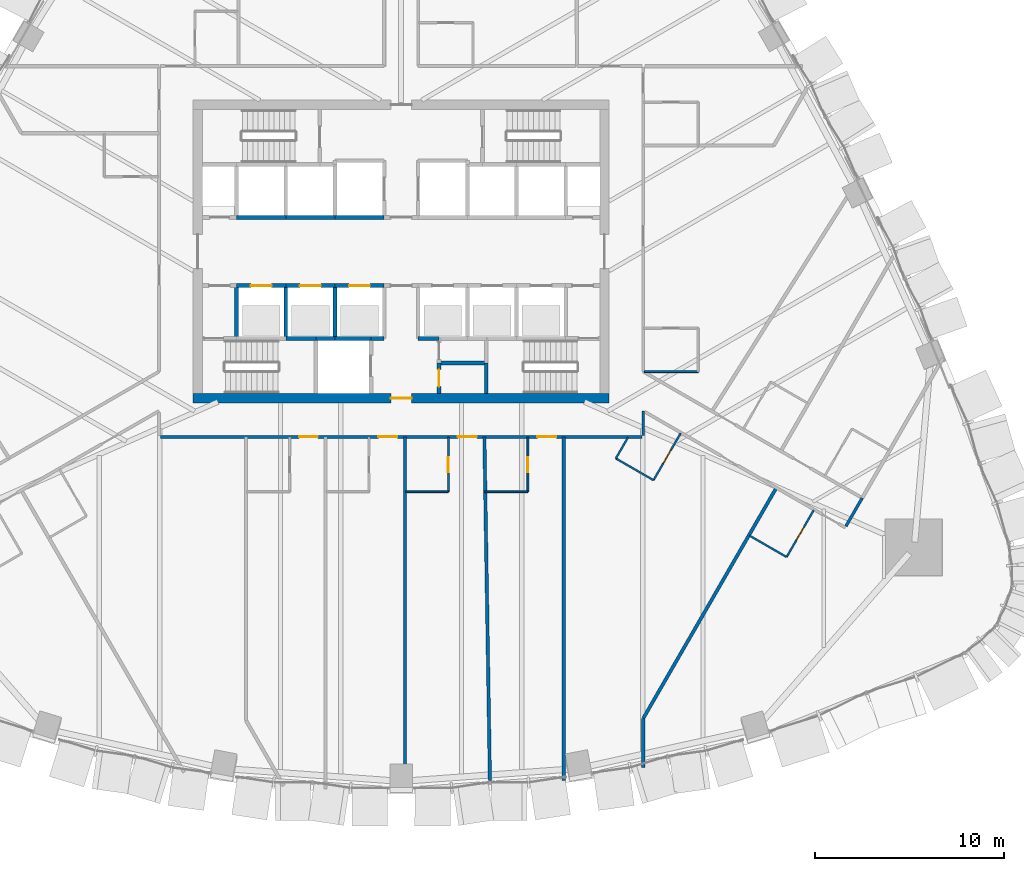
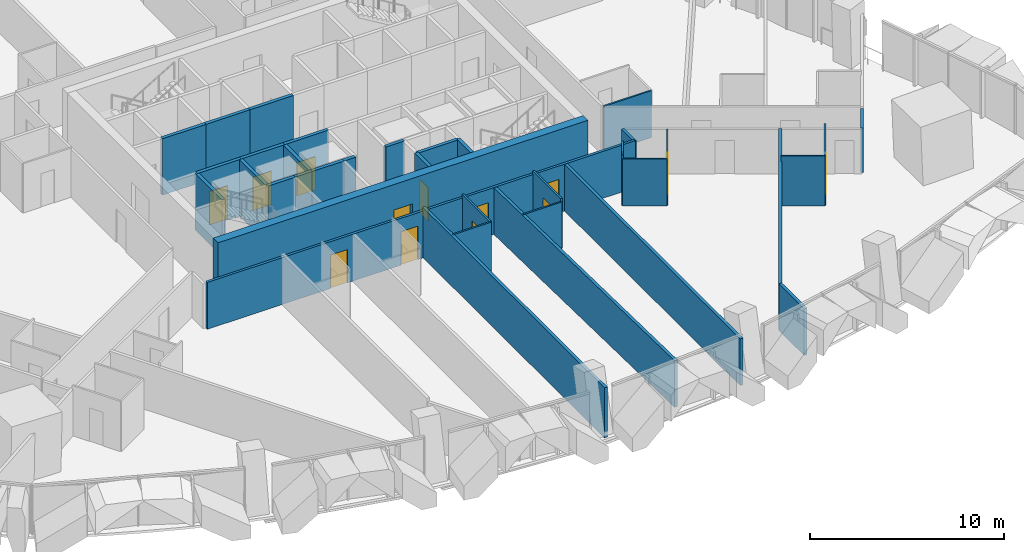
# One storey, part 15 of 23: 36 walls, 13 doors, 13 openings.
"""IFC4 building model written with IfcOpenShell, lengths in metres."""

from ifc_helpers import new_model, si_unit, direction, frame, frame_2d, origin, place, context, subcontext, project, spatial, rectangle, extrude, material, layer, layer_set, type_object, element, fill, save


model = new_model("IFC4")

# Units and contexts
model_context = context("Model", 3, precision=1e-05, world=origin(), true_north=direction((0.0, 1.0)))
body_context = subcontext(model_context, "Body", "Model", "MODEL_VIEW")
ifc_project = project(units=[si_unit("LENGTHUNIT", "METRE"), si_unit("AREAUNIT", "SQUARE_METRE"), si_unit("VOLUMEUNIT", "CUBIC_METRE"), si_unit("PLANEANGLEUNIT", "RADIAN"), si_unit("MASSUNIT", "GRAM", prefix="KILO")], contexts=[model_context])

# Site, building, storey
site_placement = place(None, origin())
site = spatial("IfcSite", under=ifc_project, at=site_placement, CompositionType="ELEMENT")
building_placement = place(site_placement, origin())
building = spatial("IfcBuilding", under=site, at=building_placement, Name="Sierra Prisma Convention Tower", CompositionType="ELEMENT")
storey_placement = place(building_placement, frame((0.0, 0.0, 51.699951171875)))
storey = spatial("IfcBuildingStorey", under=building, at=storey_placement, Name="L08", CompositionType="ELEMENT", Elevation=51.699951171875)

# Wall, opening, door
ifc_material_1 = material(Name="Gypsum board partition", Category="gypsum")
ifc_layer_1 = layer(ifc_material_1, 0.10009765625)
ifc_layer_set_1 = layer_set([ifc_layer_1], Name="Bathroom partition 100")
wall_type_1 = type_object("IfcWallType", Name="Bathroom partition 100", PredefinedType="PARTITIONING", material=ifc_layer_set_1)
wall_1_placement = place(storey_placement, frame((2.5, -9.830078125, 0.0), z_axis=(0.0, 0.0, 1.0), x_axis=(0.0, -1.0, 0.0)))
wall_1 = element("IfcWall", 1, at=wall_1_placement, inside=storey, type_object=wall_type_1, Name="Partition L08 bath 19", PredefinedType="PARTITIONING", context=body_context, shape_type="SweptSolid", body=[
    extrude(rectangle(XDim=2.869873046875, YDim=0.10009765625, at=frame_2d((1.43505859375, 0.0))), origin(), (0.0, 0.0, 1.0), 3.150146484375),
])
opening_1_placement = place(wall_1_placement, frame((1.034912109375, 0.0, 0.0)))
opening_1 = element("IfcOpeningElement", 2, at=opening_1_placement, cuts=wall_1, Name="Opening L08-D012", PredefinedType="OPENING", context=body_context, shape_type="SweptSolid", body=[
    extrude(rectangle(XDim=0.800048828125, YDim=2.10009765625, at=frame_2d((0.39990234375, 1.050048828125))), frame((0.0, 0.050048828125, 0.0), z_axis=(0.0, -1.0, 0.0), x_axis=(1.0, 0.0, 0.0)), (0.0, 0.0, 1.0), 0.10009765625),
])
ifc_material_2 = material(Name="Solid core timber door leaf", Category="wood")
door_type_1 = type_object("IfcDoorType", Name="Door 800x2100 plain", OperationType="SINGLE_SWING_LEFT", PredefinedType="DOOR", material=ifc_material_2)
door_1_placement = place(opening_1_placement, origin())
door_1 = element("IfcDoor", 3, at=door_1_placement, inside=storey, type_object=door_type_1, Name="Door L08 27", OperationType="SINGLE_SWING_RIGHT", OverallHeight=2.10009765625, OverallWidth=0.800048828125, PredefinedType="DOOR", context=body_context, shape_type="SweptSolid", body=[
    extrude(rectangle(XDim=0.800048828125, YDim=2.10009765625, at=frame_2d((0.39990234375, 1.050048828125))), frame((0.0, 0.02490234375, 0.0), z_axis=(0.0, -1.0, 0.0), x_axis=(1.0, 0.0, 0.0)), (0.0, 0.0, 1.0), 0.050048828125),
])
fill(opening_1, door_1)

# Wall
wall_2_placement = place(storey_placement, frame((2.5, -12.699951171875, 0.0), z_axis=(0.0, 0.0, 1.0), x_axis=(-1.0, 0.0, 0.0)))
element("IfcWall", 4, at=wall_2_placement, inside=storey, type_object=wall_type_1, Name="Partition L08 bath 20", PredefinedType="PARTITIONING", context=body_context, shape_type="SweptSolid", body=[
    extrude(rectangle(XDim=2.27001953125, YDim=0.10009765625, at=frame_2d((1.135009765625, 0.0))), origin(), (0.0, 0.0, 1.0), 3.150146484375),
])

# Wall, opening, door
wall_3_placement = place(storey_placement, frame((6.699951171875, -9.830078125, 0.0), z_axis=(0.0, 0.0, 1.0), x_axis=(0.0, -1.0, 0.0)))
wall_3 = element("IfcWall", 5, at=wall_3_placement, inside=storey, type_object=wall_type_1, Name="Partition L08 bath 23", PredefinedType="PARTITIONING", context=body_context, shape_type="SweptSolid", body=[
    extrude(rectangle(XDim=2.869873046875, YDim=0.10009765625, at=frame_2d((1.43505859375, 0.0))), origin(), (0.0, 0.0, 1.0), 3.150146484375),
])
opening_2_placement = place(wall_3_placement, frame((1.034912109375, 0.0, 0.0)))
opening_2 = element("IfcOpeningElement", 6, at=opening_2_placement, cuts=wall_3, Name="Opening L08-D013", PredefinedType="OPENING", context=body_context, shape_type="SweptSolid", body=[
    extrude(rectangle(XDim=0.800048828125, YDim=2.10009765625, at=frame_2d((0.39990234375, 1.050048828125))), frame((0.0, 0.050048828125, 0.0), z_axis=(0.0, -1.0, 0.0), x_axis=(1.0, 0.0, 0.0)), (0.0, 0.0, 1.0), 0.10009765625),
])
door_2_placement = place(opening_2_placement, origin())
door_2 = element("IfcDoor", 7, at=door_2_placement, inside=storey, type_object=door_type_1, Name="Door L08 29", OperationType="SINGLE_SWING_LEFT", OverallHeight=2.10009765625, OverallWidth=0.800048828125, PredefinedType="DOOR", context=body_context, shape_type="SweptSolid", body=[
    extrude(rectangle(XDim=0.800048828125, YDim=2.10009765625, at=frame_2d((0.39990234375, 1.050048828125))), frame((0.0, 0.02490234375, 0.0), z_axis=(0.0, -1.0, 0.0), x_axis=(1.0, 0.0, 0.0)), (0.0, 0.0, 1.0), 0.050048828125),
])
fill(opening_2, door_2)

# Wall
wall_4_placement = place(storey_placement, frame((6.699951171875, -12.699951171875, 0.0), z_axis=(0.0, 0.0, 1.0), x_axis=(-1.0, 0.0, 0.0)))
element("IfcWall", 8, at=wall_4_placement, inside=storey, type_object=wall_type_1, Name="Partition L08 bath 24", PredefinedType="PARTITIONING", context=body_context, shape_type="SweptSolid", body=[
    extrude(rectangle(XDim=2.27001953125, YDim=0.10009765625, at=frame_2d((1.135009765625, 0.0))), origin(), (0.0, 0.0, 1.0), 2.947021484375),
])

# Wall, opening, door
wall_5_placement = place(storey_placement, frame((14.77685546875, -9.605224609375, 0.0), z_axis=(0.0, 0.0, 1.0), x_axis=(-0.499999802827, -0.866025517622, 0.0)))
wall_5 = element("IfcWall", 9, at=wall_5_placement, inside=storey, type_object=wall_type_1, Name="Partition L08 bath 25", PredefinedType="PARTITIONING", context=body_context, shape_type="SweptSolid", body=[
    extrude(rectangle(XDim=2.8701171875, YDim=0.10009765625, at=frame_2d((1.43505859375, 0.0))), origin(), (0.0, 0.0, 1.0), 2.797119140625),
])
opening_3_placement = place(wall_5_placement, frame((1.034912109375, 0.0, 0.0)))
opening_3 = element("IfcOpeningElement", 10, at=opening_3_placement, cuts=wall_5, Name="Opening L08-D014", PredefinedType="OPENING", context=body_context, shape_type="SweptSolid", body=[
    extrude(rectangle(XDim=0.800048828125, YDim=2.10009765625, at=frame_2d((0.39990234375, 1.050048828125))), frame((0.0, 0.050048828125, 0.0), z_axis=(0.0, -1.0, 0.0), x_axis=(1.0, 0.0, 0.0)), (0.0, 0.0, 1.0), 0.10009765625),
])
door_3_placement = place(opening_3_placement, origin())
door_3 = element("IfcDoor", 11, at=door_3_placement, inside=storey, type_object=door_type_1, Name="Door L08 31", OperationType="SINGLE_SWING_RIGHT", OverallHeight=2.10009765625, OverallWidth=0.800048828125, PredefinedType="DOOR", context=body_context, shape_type="SweptSolid", body=[
    extrude(rectangle(XDim=0.800048828125, YDim=2.10009765625, at=frame_2d((0.39990234375, 1.050048828125))), frame((0.0, 0.02490234375, 0.0), z_axis=(0.0, -1.0, 0.0), x_axis=(1.0, 0.0, 0.0)), (0.0, 0.0, 1.0), 0.050048828125),
])
fill(opening_3, door_3)

# Walls
wall_6_placement = place(storey_placement, frame((13.341796875, -12.0908203125, 0.0), z_axis=(0.0, 0.0, 1.0), x_axis=(-0.86602648383, 0.499998129301, 0.0)))
element("IfcWall", 12, at=wall_6_placement, inside=storey, type_object=wall_type_1, Name="Partition L08 bath 26", PredefinedType="PARTITIONING", context=body_context, shape_type="SweptSolid", body=[
    extrude(rectangle(XDim=2.2998046875, YDim=0.10009765625, at=frame_2d((1.14990234375, 0.0))), origin(), (0.0, 0.0, 1.0), 2.947021484375),
])
wall_7_placement = place(storey_placement, frame((11.35009765625, -10.94091796875, 0.0), z_axis=(0.0, 0.0, 1.0), x_axis=(0.499865263774, 0.866103179807, 0.0)))
element("IfcWall", 13, at=wall_7_placement, inside=storey, type_object=wall_type_1, Name="Partition L08 bath 27", PredefinedType="PARTITIONING", context=body_context, shape_type="SweptSolid", body=[
    extrude(rectangle(XDim=1.282470703125, YDim=0.10009765625, at=frame_2d((0.64111328125, 0.0))), origin(), (0.0, 0.0, 1.0), 3.150146484375),
])
wall_8_placement = place(storey_placement, frame((15.699951171875, -6.350830078125, 0.0), z_axis=(0.0, 0.0, 1.0), x_axis=(-1.0, 0.0, 0.0)))
element("IfcWall", 14, at=wall_8_placement, inside=storey, type_object=wall_type_1, Name="Partition L08 bath 30", PredefinedType="PARTITIONING", context=body_context, shape_type="SweptSolid", body=[
    extrude(rectangle(XDim=2.83984375, YDim=0.10009765625, at=frame_2d((1.419921875, 0.0))), origin(), (0.0, 0.0, 1.0), 2.947021484375),
])

# Wall, opening, door
wall_9_placement = place(storey_placement, frame((21.813720703125, -13.668212890625, 0.0), z_axis=(0.0, 0.0, 1.0), x_axis=(-0.499972835562, -0.866041086612, 0.0)))
wall_9 = element("IfcWall", 15, at=wall_9_placement, inside=storey, type_object=wall_type_1, Name="Partition L08 bath 35", PredefinedType="PARTITIONING", context=body_context, shape_type="SweptSolid", body=[
    extrude(rectangle(XDim=2.869873046875, YDim=0.10009765625, at=frame_2d((1.43505859375, 0.0))), origin(), (0.0, 0.0, 1.0), 3.150146484375),
])
opening_4_placement = place(wall_9_placement, frame((1.034912109375, 0.0, 0.0)))
opening_4 = element("IfcOpeningElement", 16, at=opening_4_placement, cuts=wall_9, Name="Opening L08-D015", PredefinedType="OPENING", context=body_context, shape_type="SweptSolid", body=[
    extrude(rectangle(XDim=0.800048828125, YDim=2.10009765625, at=frame_2d((0.39990234375, 1.050048828125))), frame((0.0, 0.050048828125, 0.0), z_axis=(0.0, -1.0, 0.0), x_axis=(1.0, 0.0, 0.0)), (0.0, 0.0, 1.0), 0.10009765625),
])
door_4_placement = place(opening_4_placement, origin())
door_4 = element("IfcDoor", 17, at=door_4_placement, inside=storey, type_object=door_type_1, Name="Door L08 33", OperationType="SINGLE_SWING_LEFT", OverallHeight=2.10009765625, OverallWidth=0.800048828125, PredefinedType="DOOR", context=body_context, shape_type="SweptSolid", body=[
    extrude(rectangle(XDim=0.800048828125, YDim=2.10009765625, at=frame_2d((0.39990234375, 1.050048828125))), frame((0.0, 0.02490234375, 0.0), z_axis=(0.0, -1.0, 0.0), x_axis=(1.0, 0.0, 0.0)), (0.0, 0.0, 1.0), 0.050048828125),
])
fill(opening_4, door_4)

# Walls
wall_10_placement = place(storey_placement, frame((20.37890625, -16.153564453125, 0.0), z_axis=(0.0, 0.0, 1.0), x_axis=(-0.866044110172, 0.499967598186, 0.0)))
element("IfcWall", 18, at=wall_10_placement, inside=storey, type_object=wall_type_1, Name="Partition L08 bath 36", PredefinedType="PARTITIONING", context=body_context, shape_type="SweptSolid", body=[
    extrude(rectangle(XDim=2.270263671875, YDim=0.10009765625, at=frame_2d((1.13525390625, 0.0))), origin(), (0.0, 0.0, 1.0), 3.150146484375),
])
ifc_material_3 = material(Name="Concrete C30/37", Category="concrete")
ifc_layer_2 = layer(ifc_material_3, 0.199951171875)
ifc_layer_set_2 = layer_set([ifc_layer_2], Name="Core wall RC 200 C30/37")
wall_type_2 = type_object("IfcWallType", Name="Core wall RC 200 C30/37", PredefinedType="SOLIDWALL", material=ifc_layer_set_2)
wall_11_placement = place(storey_placement, frame((-8.699951171875, -4.60009765625, 0.0), z_axis=(0.0, 0.0, 1.0), x_axis=(0.0, 1.0, 0.0)))
element("IfcWall", 19, at=wall_11_placement, inside=storey, type_object=wall_type_2, Name="Core wall L08 6", PredefinedType="SOLIDWALL", context=body_context, shape_type="SweptSolid", body=[
    extrude(rectangle(XDim=2.800048828125, YDim=0.199951171875, at=frame_2d((1.39990234375, 0.0))), origin(), (0.0, 0.0, 1.0), 3.550048828125),
])

# Wall, opening, door
wall_12_placement = place(storey_placement, frame((-8.699951171875, -1.800048828125, 0.0), z_axis=(0.0, 0.0, 1.0), x_axis=(1.0, 0.0, 0.0)))
wall_12 = element("IfcWall", 20, at=wall_12_placement, inside=storey, type_object=wall_type_2, Name="Core wall L08 7", PredefinedType="SOLIDWALL", context=body_context, shape_type="SweptSolid", body=[
    extrude(rectangle(XDim=2.599853515625, YDim=0.199951171875, at=frame_2d((1.2998046875, 0.0))), origin(), (0.0, 0.0, 1.0), 3.550048828125),
])
opening_5_placement = place(wall_12_placement, frame((0.75, 0.0, 0.0)))
opening_5 = element("IfcOpeningElement", 21, at=opening_5_placement, cuts=wall_12, Name="Opening L08-D018", PredefinedType="OPENING", context=body_context, shape_type="SweptSolid", body=[
    extrude(rectangle(XDim=1.10009765625, YDim=2.10009765625, at=frame_2d((0.550048828125, 1.050048828125))), frame((0.0, 0.10009765625, 0.0), z_axis=(0.0, -1.0, 0.0), x_axis=(1.0, 0.0, 0.0)), (0.0, 0.0, 1.0), 0.199951171875),
])
ifc_material_4 = material(Name="Steel fire door leaf", Category="steel")
door_type_2 = type_object("IfcDoorType", Name="Door 1100x2100 EI 90 sliding lift landing", OperationType="SLIDING_TO_LEFT", PredefinedType="DOOR", material=ifc_material_4)
door_5_placement = place(opening_5_placement, origin())
door_5 = element("IfcDoor", 22, at=door_5_placement, inside=storey, type_object=door_type_2, Name="Door L08 38", OperationType="SLIDING_TO_RIGHT", OverallHeight=2.10009765625, OverallWidth=1.10009765625, PredefinedType="DOOR", context=body_context, shape_type="SweptSolid", body=[
    extrude(rectangle(XDim=1.10009765625, YDim=2.10009765625, at=frame_2d((0.550048828125, 1.050048828125))), frame((0.0, 0.02490234375, 0.0), z_axis=(0.0, -1.0, 0.0), x_axis=(1.0, 0.0, 0.0)), (0.0, 0.0, 1.0), 0.050048828125),
])
fill(opening_5, door_5)

# Walls
wall_13_placement = place(storey_placement, frame((-6.10009765625, 1.800048828125, 0.0), z_axis=(0.0, 0.0, 1.0), x_axis=(-1.0, 0.0, 0.0)))
element("IfcWall", 23, at=wall_13_placement, inside=storey, type_object=wall_type_2, Name="Core wall L08 8", PredefinedType="SOLIDWALL", context=body_context, shape_type="SweptSolid", body=[
    extrude(rectangle(XDim=2.599853515625, YDim=0.199951171875, at=frame_2d((1.2998046875, 0.0))), origin(), (0.0, 0.0, 1.0), 3.550048828125),
])
wall_14_placement = place(storey_placement, frame((-6.10009765625, -4.60009765625, 0.0), z_axis=(0.0, 0.0, 1.0), x_axis=(1.0, 0.0, 0.0)))
element("IfcWall", 24, at=wall_14_placement, inside=storey, type_object=wall_type_2, Name="Core wall L08 11", PredefinedType="SOLIDWALL", context=body_context, shape_type="SweptSolid", body=[
    extrude(rectangle(XDim=1.60009765625, YDim=0.199951171875, at=frame_2d((0.800048828125, 0.0))), origin(), (0.0, 0.0, 1.0), 3.550048828125),
])
wall_15_placement = place(storey_placement, frame((-6.10009765625, -4.60009765625, 0.0), z_axis=(0.0, 0.0, 1.0), x_axis=(0.0, 1.0, 0.0)))
element("IfcWall", 25, at=wall_15_placement, inside=storey, type_object=wall_type_2, Name="Core wall L08 12", PredefinedType="SOLIDWALL", context=body_context, shape_type="SweptSolid", body=[
    extrude(rectangle(XDim=2.800048828125, YDim=0.199951171875, at=frame_2d((1.39990234375, 0.0))), origin(), (0.0, 0.0, 1.0), 3.550048828125),
])

# Wall, opening, door
wall_16_placement = place(storey_placement, frame((-6.10009765625, -1.800048828125, 0.0), z_axis=(0.0, 0.0, 1.0), x_axis=(1.0, 0.0, 0.0)))
wall_16 = element("IfcWall", 26, at=wall_16_placement, inside=storey, type_object=wall_type_2, Name="Core wall L08 13", PredefinedType="SOLIDWALL", context=body_context, shape_type="SweptSolid", body=[
    extrude(rectangle(XDim=2.60009765625, YDim=0.199951171875, at=frame_2d((1.300048828125, 0.0))), origin(), (0.0, 0.0, 1.0), 3.550048828125),
])
opening_6_placement = place(wall_16_placement, frame((0.75, 0.0, 0.0)))
opening_6 = element("IfcOpeningElement", 27, at=opening_6_placement, cuts=wall_16, Name="Opening L08-D019", PredefinedType="OPENING", context=body_context, shape_type="SweptSolid", body=[
    extrude(rectangle(XDim=1.10009765625, YDim=2.10009765625, at=frame_2d((0.550048828125, 1.050048828125))), frame((0.0, 0.10009765625, 0.0), z_axis=(0.0, -1.0, 0.0), x_axis=(1.0, 0.0, 0.0)), (0.0, 0.0, 1.0), 0.199951171875),
])
door_6_placement = place(opening_6_placement, origin())
door_6 = element("IfcDoor", 28, at=door_6_placement, inside=storey, type_object=door_type_2, Name="Door L08 39", OperationType="SLIDING_TO_LEFT", OverallHeight=2.10009765625, OverallWidth=1.10009765625, PredefinedType="DOOR", context=body_context, shape_type="SweptSolid", body=[
    extrude(rectangle(XDim=1.10009765625, YDim=2.10009765625, at=frame_2d((0.550048828125, 1.050048828125))), frame((0.0, 0.02490234375, 0.0), z_axis=(0.0, -1.0, 0.0), x_axis=(1.0, 0.0, 0.0)), (0.0, 0.0, 1.0), 0.050048828125),
])
fill(opening_6, door_6)

# Walls
wall_17_placement = place(storey_placement, frame((-3.5, 1.800048828125, 0.0), z_axis=(0.0, 0.0, 1.0), x_axis=(-1.0, 0.0, 0.0)))
element("IfcWall", 29, at=wall_17_placement, inside=storey, type_object=wall_type_2, Name="Core wall L08 14", PredefinedType="SOLIDWALL", context=body_context, shape_type="SweptSolid", body=[
    extrude(rectangle(XDim=2.60009765625, YDim=0.199951171875, at=frame_2d((1.300048828125, 0.0))), origin(), (0.0, 0.0, 1.0), 3.550048828125),
])
wall_18_placement = place(storey_placement, frame((-4.5, -4.60009765625, 0.0), z_axis=(0.0, 0.0, 1.0), x_axis=(1.0, 0.0, 0.0)))
element("IfcWall", 30, at=wall_18_placement, inside=storey, type_object=wall_type_2, Name="Core wall L08 18", PredefinedType="SOLIDWALL", context=body_context, shape_type="SweptSolid", body=[
    extrude(rectangle(XDim=1.0, YDim=0.199951171875, at=frame_2d((0.5, 0.0))), origin(), (0.0, 0.0, 1.0), 3.550048828125),
])
wall_19_placement = place(storey_placement, frame((-3.5, -4.60009765625, 0.0), z_axis=(0.0, 0.0, 1.0), x_axis=(1.0, 0.0, 0.0)))
element("IfcWall", 31, at=wall_19_placement, inside=storey, type_object=wall_type_2, Name="Core wall L08 21", PredefinedType="SOLIDWALL", context=body_context, shape_type="SweptSolid", body=[
    extrude(rectangle(XDim=1.89990234375, YDim=0.199951171875, at=frame_2d((0.949951171875, 0.0))), origin(), (0.0, 0.0, 1.0), 3.550048828125),
])
wall_20_placement = place(storey_placement, frame((-3.5, -4.60009765625, 0.0), z_axis=(0.0, 0.0, 1.0), x_axis=(0.0, 1.0, 0.0)))
element("IfcWall", 32, at=wall_20_placement, inside=storey, type_object=wall_type_2, Name="Core wall L08 22", PredefinedType="SOLIDWALL", context=body_context, shape_type="SweptSolid", body=[
    extrude(rectangle(XDim=2.800048828125, YDim=0.199951171875, at=frame_2d((1.39990234375, 0.0))), origin(), (0.0, 0.0, 1.0), 3.550048828125),
])

# Wall, opening, door
wall_21_placement = place(storey_placement, frame((-3.5, -1.800048828125, 0.0), z_axis=(0.0, 0.0, 1.0), x_axis=(1.0, 0.0, 0.0)))
wall_21 = element("IfcWall", 33, at=wall_21_placement, inside=storey, type_object=wall_type_2, Name="Core wall L08 23", PredefinedType="SOLIDWALL", context=body_context, shape_type="SweptSolid", body=[
    extrude(rectangle(XDim=2.60009765625, YDim=0.199951171875, at=frame_2d((1.300048828125, 0.0))), origin(), (0.0, 0.0, 1.0), 3.550048828125),
])
opening_7_placement = place(wall_21_placement, frame((0.75, 0.0, 0.0)))
opening_7 = element("IfcOpeningElement", 34, at=opening_7_placement, cuts=wall_21, Name="Opening L08-D020", PredefinedType="OPENING", context=body_context, shape_type="SweptSolid", body=[
    extrude(rectangle(XDim=1.10009765625, YDim=2.10009765625, at=frame_2d((0.550048828125, 1.050048828125))), frame((0.0, 0.10009765625, 0.0), z_axis=(0.0, -1.0, 0.0), x_axis=(1.0, 0.0, 0.0)), (0.0, 0.0, 1.0), 0.199951171875),
])
door_7_placement = place(opening_7_placement, origin())
door_7 = element("IfcDoor", 35, at=door_7_placement, inside=storey, type_object=door_type_2, Name="Door L08 40", OperationType="SLIDING_TO_RIGHT", OverallHeight=2.10009765625, OverallWidth=1.10009765625, PredefinedType="DOOR", context=body_context, shape_type="SweptSolid", body=[
    extrude(rectangle(XDim=1.10009765625, YDim=2.10009765625, at=frame_2d((0.550048828125, 1.050048828125))), frame((0.0, 0.02490234375, 0.0), z_axis=(0.0, -1.0, 0.0), x_axis=(1.0, 0.0, 0.0)), (0.0, 0.0, 1.0), 0.050048828125),
])
fill(opening_7, door_7)

# Walls
wall_22_placement = place(storey_placement, frame((-0.89990234375, 1.800048828125, 0.0), z_axis=(0.0, 0.0, 1.0), x_axis=(-1.0, 0.0, 0.0)))
element("IfcWall", 36, at=wall_22_placement, inside=storey, type_object=wall_type_2, Name="Core wall L08 24", PredefinedType="SOLIDWALL", context=body_context, shape_type="SweptSolid", body=[
    extrude(rectangle(XDim=2.60009765625, YDim=0.199951171875, at=frame_2d((1.300048828125, 0.0))), origin(), (0.0, 0.0, 1.0), 3.550048828125),
])
wall_23_placement = place(storey_placement, frame((-1.60009765625, -4.60009765625, 0.0), z_axis=(0.0, 0.0, 1.0), x_axis=(1.0, 0.0, 0.0)))
element("IfcWall", 37, at=wall_23_placement, inside=storey, type_object=wall_type_2, Name="Core wall L08 30", PredefinedType="SOLIDWALL", context=body_context, shape_type="SweptSolid", body=[
    extrude(rectangle(XDim=0.7001953125, YDim=0.199951171875, at=frame_2d((0.35009765625, 0.0))), origin(), (0.0, 0.0, 1.0), 3.550048828125),
])
wall_24_placement = place(storey_placement, frame((0.89990234375, -4.60009765625, 0.0), z_axis=(0.0, 0.0, 1.0), x_axis=(1.0, 0.0, 0.0)))
element("IfcWall", 38, at=wall_24_placement, inside=storey, type_object=wall_type_2, Name="Core wall L08 36", PredefinedType="SOLIDWALL", context=body_context, shape_type="SweptSolid", body=[
    extrude(rectangle(XDim=1.10009765625, YDim=0.199951171875, at=frame_2d((0.550048828125, 0.0))), origin(), (0.0, 0.0, 1.0), 3.550048828125),
])

# Wall, opening, door
wall_25_placement = place(storey_placement, frame((2.0, -5.89990234375, 0.0), z_axis=(0.0, 0.0, 1.0), x_axis=(0.0, -1.0, 0.0)))
wall_25 = element("IfcWall", 39, at=wall_25_placement, inside=storey, type_object=wall_type_2, Name="Core wall L08 41", PredefinedType="SOLIDWALL", context=body_context, shape_type="SweptSolid", body=[
    extrude(rectangle(XDim=1.60009765625, YDim=0.199951171875, at=frame_2d((0.800048828125, 0.0))), origin(), (0.0, 0.0, 1.0), 3.550048828125),
])
opening_8_placement = place(wall_25_placement, frame((0.35009765625, 0.0, 0.0)))
opening_8 = element("IfcOpeningElement", 40, at=opening_8_placement, cuts=wall_25, Name="Opening L08-D037", PredefinedType="OPENING", context=body_context, shape_type="SweptSolid", body=[
    extrude(rectangle(XDim=0.89990234375, YDim=2.10009765625, at=frame_2d((0.449951171875, 1.050048828125))), frame((0.0, 0.10009765625, 0.0), z_axis=(0.0, -1.0, 0.0), x_axis=(1.0, 0.0, 0.0)), (0.0, 0.0, 1.0), 0.199951171875),
])
ifc_material_5 = material(Name="Steel fire door leaf", Category="steel")
door_type_3 = type_object("IfcDoorType", Name="Door 900x2100 FD30S", OperationType="SINGLE_SWING_LEFT", PredefinedType="DOOR", material=ifc_material_5)
door_8_placement = place(opening_8_placement, origin())
door_8 = element("IfcDoor", 41, at=door_8_placement, inside=storey, type_object=door_type_3, Name="Door L08 57", OperationType="SINGLE_SWING_LEFT", OverallHeight=2.10009765625, OverallWidth=0.89990234375, PredefinedType="DOOR", context=body_context, shape_type="SweptSolid", body=[
    extrude(rectangle(XDim=0.89990234375, YDim=2.10009765625, at=frame_2d((0.449951171875, 1.050048828125))), frame((0.0, 0.02490234375, 0.0), z_axis=(0.0, -1.0, 0.0), x_axis=(1.0, 0.0, 0.0)), (0.0, 0.0, 1.0), 0.050048828125),
])
fill(opening_8, door_8)

# Walls
wall_26_placement = place(storey_placement, frame((4.5, -5.89990234375, 0.0), z_axis=(0.0, 0.0, 1.0), x_axis=(-1.0, 0.0, 0.0)))
element("IfcWall", 42, at=wall_26_placement, inside=storey, type_object=wall_type_2, Name="Core wall L08 42", PredefinedType="SOLIDWALL", context=body_context, shape_type="SweptSolid", body=[
    extrude(rectangle(XDim=2.5, YDim=0.199951171875, at=frame_2d((1.25, 0.0))), origin(), (0.0, 0.0, 1.0), 3.550048828125),
])
wall_27_placement = place(storey_placement, frame((4.5, -7.5, 0.0), z_axis=(0.0, 0.0, 1.0), x_axis=(0.0, 1.0, 0.0)))
element("IfcWall", 43, at=wall_27_placement, inside=storey, type_object=wall_type_2, Name="Core wall L08 53", PredefinedType="SOLIDWALL", context=body_context, shape_type="SweptSolid", body=[
    extrude(rectangle(XDim=1.60009765625, YDim=0.199951171875, at=frame_2d((0.800048828125, 0.0))), origin(), (0.0, 0.0, 1.0), 3.550048828125),
])

# Wall, opening, door
ifc_material_6 = material(Name="Concrete C60/75", Category="concrete")
ifc_layer_3 = layer(ifc_material_6, 0.5)
ifc_layer_set_3 = layer_set([ifc_layer_3], Name="Core wall RC 500 C60/75")
wall_type_3 = type_object("IfcWallType", Name="Core wall RC 500 C60/75", PredefinedType="SHEAR", material=ifc_layer_set_3)
wall_28_placement = place(storey_placement, frame((-11.0, -7.75, 0.0), z_axis=(0.0, 0.0, 1.0), x_axis=(1.0, 0.0, 0.0)))
wall_28 = element("IfcWall", 44, at=wall_28_placement, inside=storey, type_object=wall_type_3, Name="Core wall S L08", PredefinedType="SHEAR", context=body_context, shape_type="SweptSolid", body=[
    extrude(rectangle(XDim=22.0, YDim=0.5, at=frame_2d((11.0, 0.0))), origin(), (0.0, 0.0, 1.0), 3.699951171875),
])
opening_9_placement = place(wall_28_placement, frame((10.449951171875, 0.0, 0.0)))
opening_9 = element("IfcOpeningElement", 45, at=opening_9_placement, cuts=wall_28, Name="Opening L08-D061", PredefinedType="OPENING", context=body_context, shape_type="SweptSolid", body=[
    extrude(rectangle(XDim=1.10009765625, YDim=2.10009765625, at=frame_2d((0.550048828125, 1.050048828125))), frame((0.0, 0.25, 0.0), z_axis=(0.0, -1.0, 0.0), x_axis=(1.0, 0.0, 0.0)), (0.0, 0.0, 1.0), 0.5),
])
ifc_material_7 = material(Name="Steel fire door leaf", Category="steel")
door_type_4 = type_object("IfcDoorType", Name="Door 1100x2100 FD30S", OperationType="SINGLE_SWING_LEFT", PredefinedType="DOOR", material=ifc_material_7)
door_9_placement = place(opening_9_placement, origin())
door_9 = element("IfcDoor", 46, at=door_9_placement, inside=storey, type_object=door_type_4, Name="Door L08 62", OperationType="SINGLE_SWING_LEFT", OverallHeight=2.10009765625, OverallWidth=1.10009765625, PredefinedType="DOOR", context=body_context, shape_type="SweptSolid", body=[
    extrude(rectangle(XDim=1.10009765625, YDim=2.10009765625, at=frame_2d((0.550048828125, 1.050048828125))), frame((0.0, 0.02490234375, 0.0), z_axis=(0.0, -1.0, 0.0), x_axis=(1.0, 0.0, 0.0)), (0.0, 0.0, 1.0), 0.050048828125),
])
fill(opening_9, door_9)

# Wall, openings, doors
ifc_material_8 = material(Name="Gypsum board partition", Category="gypsum")
ifc_layer_4 = layer(ifc_material_8, 0.14990234375)
ifc_layer_set_4 = layer_set([ifc_layer_4], Name="Corridor wall 150 gypsum EI 60")
wall_type_4 = type_object("IfcWallType", Name="Corridor wall 150 gypsum EI 60", PredefinedType="PARTITIONING", material=ifc_layer_set_4)
wall_29_placement = place(storey_placement, frame((-12.719970703125, -9.800048828125, 0.0), z_axis=(0.0, 0.0, 1.0), x_axis=(1.0, 0.0, 0.0)))
wall_29 = element("IfcWall", 47, at=wall_29_placement, inside=storey, type_object=wall_type_4, Name="Partition L08 corr 6", PredefinedType="PARTITIONING", context=body_context, shape_type="SweptSolid", body=[
    extrude(rectangle(XDim=25.43994140625, YDim=0.14990234375, at=frame_2d((12.719970703125, 0.0))), origin(), (0.0, 0.0, 1.0), 2.947021484375),
])
opening_10_placement = place(wall_29_placement, frame((7.320068359375, 0.0, 0.0)))
opening_10 = element("IfcOpeningElement", 48, at=opening_10_placement, cuts=wall_29, Name="Opening L08-D051", PredefinedType="OPENING", context=body_context, shape_type="SweptSolid", body=[
    extrude(rectangle(XDim=1.0, YDim=2.10009765625, at=frame_2d((0.5, 1.050048828125))), frame((0.0, 0.074951171875, 0.0), z_axis=(0.0, -1.0, 0.0), x_axis=(1.0, 0.0, 0.0)), (0.0, 0.0, 1.0), 0.14990234375),
])
opening_11_placement = place(wall_29_placement, frame((11.52001953125, 0.0, 0.0)))
opening_11 = element("IfcOpeningElement", 49, at=opening_11_placement, cuts=wall_29, Name="Opening L08-D052", PredefinedType="OPENING", context=body_context, shape_type="SweptSolid", body=[
    extrude(rectangle(XDim=1.0, YDim=2.10009765625, at=frame_2d((0.5, 1.050048828125))), frame((0.0, 0.074951171875, 0.0), z_axis=(0.0, -1.0, 0.0), x_axis=(1.0, 0.0, 0.0)), (0.0, 0.0, 1.0), 0.14990234375),
])
opening_12_placement = place(wall_29_placement, frame((15.719970703125, 0.0, 0.0)))
opening_12 = element("IfcOpeningElement", 50, at=opening_12_placement, cuts=wall_29, Name="Opening L08-D053", PredefinedType="OPENING", context=body_context, shape_type="SweptSolid", body=[
    extrude(rectangle(XDim=1.0, YDim=2.10009765625, at=frame_2d((0.5, 1.050048828125))), frame((0.0, 0.074951171875, 0.0), z_axis=(0.0, -1.0, 0.0), x_axis=(1.0, 0.0, 0.0)), (0.0, 0.0, 1.0), 0.14990234375),
])
opening_13_placement = place(wall_29_placement, frame((19.919921875, 0.0, 0.0)))
opening_13 = element("IfcOpeningElement", 51, at=opening_13_placement, cuts=wall_29, Name="Opening L08-D054", PredefinedType="OPENING", context=body_context, shape_type="SweptSolid", body=[
    extrude(rectangle(XDim=1.0, YDim=2.10009765625, at=frame_2d((0.5, 1.050048828125))), frame((0.0, 0.074951171875, 0.0), z_axis=(0.0, -1.0, 0.0), x_axis=(1.0, 0.0, 0.0)), (0.0, 0.0, 1.0), 0.14990234375),
])
ifc_material_9 = material(Name="Steel fire door leaf", Category="steel")
door_type_5 = type_object("IfcDoorType", Name="Door 1000x2100 FD30S", OperationType="SINGLE_SWING_LEFT", PredefinedType="DOOR", material=ifc_material_9)
door_10_placement = place(opening_10_placement, origin())
door_10 = element("IfcDoor", 52, at=door_10_placement, inside=storey, type_object=door_type_5, Name="Door L08 22", OperationType="SINGLE_SWING_LEFT", OverallHeight=2.10009765625, OverallWidth=1.0, PredefinedType="DOOR", context=body_context, shape_type="SweptSolid", body=[
    extrude(rectangle(XDim=1.0, YDim=2.10009765625, at=frame_2d((0.5, 1.050048828125))), frame((0.0, 0.02490234375, 0.0), z_axis=(0.0, -1.0, 0.0), x_axis=(1.0, 0.0, 0.0)), (0.0, 0.0, 1.0), 0.050048828125),
])
fill(opening_10, door_10)
door_11_placement = place(opening_11_placement, origin())
door_11 = element("IfcDoor", 53, at=door_11_placement, inside=storey, type_object=door_type_5, Name="Door L08 24", OperationType="SINGLE_SWING_LEFT", OverallHeight=2.10009765625, OverallWidth=1.0, PredefinedType="DOOR", context=body_context, shape_type="SweptSolid", body=[
    extrude(rectangle(XDim=1.0, YDim=2.10009765625, at=frame_2d((0.5, 1.050048828125))), frame((0.0, 0.02490234375, 0.0), z_axis=(0.0, -1.0, 0.0), x_axis=(1.0, 0.0, 0.0)), (0.0, 0.0, 1.0), 0.050048828125),
])
fill(opening_11, door_11)
door_12_placement = place(opening_12_placement, origin())
door_12 = element("IfcDoor", 54, at=door_12_placement, inside=storey, type_object=door_type_5, Name="Door L08 26", OperationType="SINGLE_SWING_LEFT", OverallHeight=2.10009765625, OverallWidth=1.0, PredefinedType="DOOR", context=body_context, shape_type="SweptSolid", body=[
    extrude(rectangle(XDim=1.0, YDim=2.10009765625, at=frame_2d((0.5, 1.050048828125))), frame((0.0, 0.02490234375, 0.0), z_axis=(0.0, -1.0, 0.0), x_axis=(1.0, 0.0, 0.0)), (0.0, 0.0, 1.0), 0.050048828125),
])
fill(opening_12, door_12)
door_13_placement = place(opening_13_placement, origin())
door_13 = element("IfcDoor", 55, at=door_13_placement, inside=storey, type_object=door_type_5, Name="Door L08 28", OperationType="SINGLE_SWING_LEFT", OverallHeight=2.10009765625, OverallWidth=1.0, PredefinedType="DOOR", context=body_context, shape_type="SweptSolid", body=[
    extrude(rectangle(XDim=1.0, YDim=2.10009765625, at=frame_2d((0.5, 1.050048828125))), frame((0.0, 0.02490234375, 0.0), z_axis=(0.0, -1.0, 0.0), x_axis=(1.0, 0.0, 0.0)), (0.0, 0.0, 1.0), 0.050048828125),
])
fill(opening_13, door_13)

# Walls
wall_30_placement = place(storey_placement, frame((12.800048828125, -9.719970703125, 0.0), z_axis=(0.0, 0.0, 1.0), x_axis=(0.0, 1.0, 0.0)))
element("IfcWall", 56, at=wall_30_placement, inside=storey, type_object=wall_type_4, Name="Partition L08 corr 14", PredefinedType="PARTITIONING", context=body_context, shape_type="SweptSolid", body=[
    extrude(rectangle(XDim=1.290771484375, YDim=0.14990234375, at=frame_2d((0.6455078125, 0.0))), origin(), (0.0, 0.0, 1.0), 2.797119140625),
])
wall_31_placement = place(storey_placement, frame((23.51416015625, -14.522705078125, 0.0), z_axis=(0.0, 0.0, 1.0), x_axis=(0.500062383118, 0.865989383878, 0.0)))
element("IfcWall", 57, at=wall_31_placement, inside=storey, type_object=wall_type_4, Name="Partition L08 corr 16", PredefinedType="PARTITIONING", context=body_context, shape_type="SweptSolid", body=[
    extrude(rectangle(XDim=1.719970703125, YDim=0.14990234375, at=frame_2d((0.85986328125, 0.0))), origin(), (0.0, 0.0, 1.0), 2.797119140625),
])
ifc_material_10 = material(Name="Acoustic gypsum board partition", Category="gypsum")
ifc_layer_5 = layer(ifc_material_10, 0.175048828125)
ifc_layer_set_5 = layer_set([ifc_layer_5], Name="Guest room party wall 175 acoustic EI 60")
wall_type_5 = type_object("IfcWallType", Name="Guest room party wall 175 acoustic EI 60", PredefinedType="PARTITIONING", material=ifc_layer_set_5)
wall_32_placement = place(storey_placement, frame((0.199951171875, -9.800048828125, 0.0), z_axis=(0.0, 0.0, 1.0), x_axis=(0.0, -1.0, 0.0)))
element("IfcWall", 58, at=wall_32_placement, inside=storey, type_object=wall_type_5, Name="Partition L08 hparty 12", PredefinedType="PARTITIONING", context=body_context, shape_type="SweptSolid", body=[
    extrude(rectangle(XDim=18.740966796875, YDim=0.175048828125, at=frame_2d((9.37060546875, 0.0))), origin(), (0.0, 0.0, 1.0), 3.150146484375),
])
wall_33_placement = place(storey_placement, frame((4.39990234375, -9.800048828125, 0.0), z_axis=(0.0, 0.0, 1.0), x_axis=(0.016103328935, -0.999870332992, 0.0)))
element("IfcWall", 59, at=wall_33_placement, inside=storey, type_object=wall_type_5, Name="Partition L08 hparty 15", PredefinedType="PARTITIONING", context=body_context, shape_type="SweptSolid", body=[
    extrude(rectangle(XDim=18.177978515625, YDim=0.175048828125, at=frame_2d((9.0888671875, 0.0))), origin(), (0.0, 0.0, 1.0), 2.93408203125),
])
wall_34_placement = place(storey_placement, frame((8.60009765625, -9.800048828125, 0.0), z_axis=(0.0, 0.0, 1.0), x_axis=(0.0, -1.0, 0.0)))
element("IfcWall", 60, at=wall_34_placement, inside=storey, type_object=wall_type_5, Name="Partition L08 hparty 16", PredefinedType="PARTITIONING", context=body_context, shape_type="SweptSolid", body=[
    extrude(rectangle(XDim=18.170166015625, YDim=0.175048828125, at=frame_2d((9.0849609375, 0.0))), origin(), (0.0, 0.0, 1.0), 2.93408203125),
])
wall_35_placement = place(storey_placement, frame((19.8369140625, -12.4921875, 0.0), z_axis=(0.0, 0.0, 1.0), x_axis=(-0.499999252047, -0.866025835615, 0.0)))
element("IfcWall", 61, at=wall_35_placement, inside=storey, type_object=wall_type_5, Name="Partition L08 hparty 18", PredefinedType="PARTITIONING", context=body_context, shape_type="SweptSolid", body=[
    extrude(rectangle(XDim=14.07373046875, YDim=0.175048828125, at=frame_2d((7.036865234375, 0.0))), origin(), (0.0, 0.0, 1.0), 2.797119140625),
])
wall_36_placement = place(storey_placement, frame((12.800048828125, -24.680419921875, 0.0), z_axis=(0.0, 0.0, 1.0), x_axis=(0.0, -1.0, 0.0)))
element("IfcWall", 62, at=wall_36_placement, inside=storey, type_object=wall_type_5, Name="Partition L08 hparty 19", PredefinedType="PARTITIONING", context=body_context, shape_type="SweptSolid", body=[
    extrude(rectangle(XDim=2.59521484375, YDim=0.175048828125, at=frame_2d((1.297607421875, 0.0))), origin(), (0.0, 0.0, 1.0), 2.93408203125),
])

save(model, "model.ifc")
